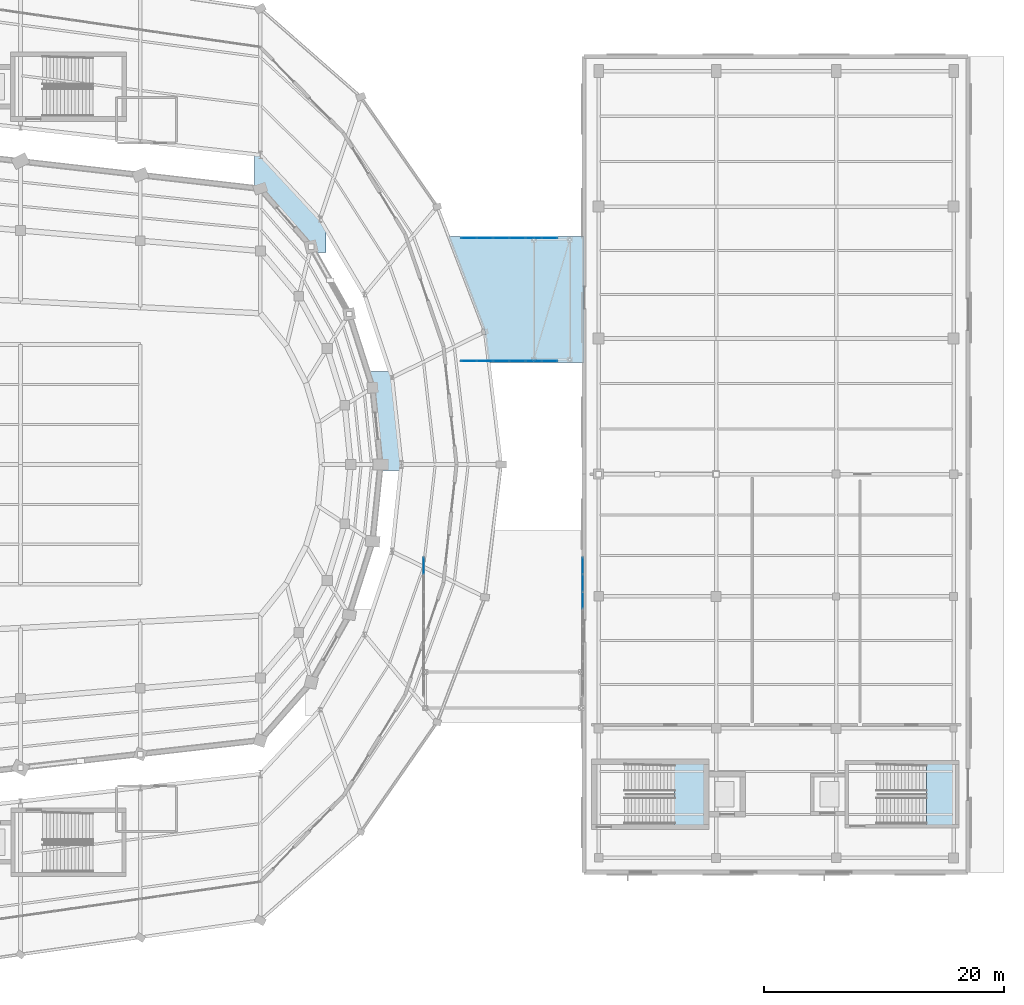
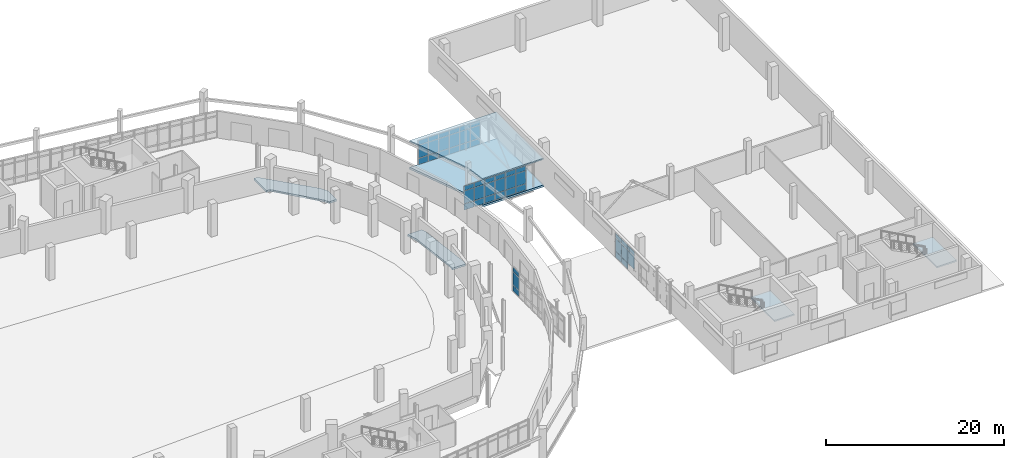
# One storey, part 92 of 122: 47 plates, 6 slabs, 6 elements without a shape of their own.
"""IFC4 building model written with IfcOpenShell, lengths in metres."""

import ifcopenshell
import ifcopenshell.guid

model = None  # the IFC model being written
_history = None  # IfcOwnerHistory: only IFC2X3 demands one
_inside = {}  # id of a spatial element -> (the spatial element, [elements in it])
_under = {}  # id of a project, library or spatial element -> (it, [spatial elements below it])
_declared = {}  # id of a project -> (the project, [libraries it declares])
_typed = {}  # id of a type object -> (the type object, [elements of that type])
_made_of = {}  # id of a material, layer set ... -> (it, [elements and type objects made of it])


def new_model(schema):
    """Start an empty IFC model of exactly this schema.

    Asked for "IFC4X3", IfcOpenShell would pick the latest addendum, in which some entities
    have other attributes; the version numbers below select the first issue.
    IFC2X3 requires an IfcOwnerHistory on every rooted entity: one is made here for all.
    """
    global model, _history
    if schema == "IFC4X3":
        model = ifcopenshell.file(schema_version=(4, 3, 0, 0))
    else:
        model = ifcopenshell.file(schema=schema)
    _inside.clear()
    _under.clear()
    _declared.clear()
    _typed.clear()
    _made_of.clear()
    _history = None
    if model.schema == "IFC2X3":
        org = make("IfcOrganization", Name="unknown")
        user = make(
            "IfcPersonAndOrganization",
            ThePerson=make("IfcPerson", FamilyName="unknown"),
            TheOrganization=org,
        )
        app = make(
            "IfcApplication",
            ApplicationDeveloper=org,
            Version="unknown",
            ApplicationFullName="unknown",
            ApplicationIdentifier="unknown",
        )
        _history = make(
            "IfcOwnerHistory",
            OwningUser=user,
            OwningApplication=app,
            ChangeAction="ADDED",
            CreationDate=0,
        )
    return model


def make(cls, **values):
    """One entity of the class cls with the attributes given. An attribute that is None is left unset."""
    return model.create_entity(
        cls, **{name: value for name, value in values.items() if value is not None}
    )


def rooted(cls, **values):
    """An entity with a GlobalId (a new one), such as an element, a storey or a relation."""
    return make(cls, GlobalId=ifcopenshell.guid.new(), OwnerHistory=_history, **values)


def si_unit(unit_type, name, prefix=None):
    """IfcSIUnit, for example si_unit("LENGTHUNIT", "METRE", prefix="MILLI")."""
    return make("IfcSIUnit", UnitType=unit_type, Prefix=prefix, Name=name)


def assignment(units):
    """IfcUnitAssignment: the units of a project."""
    return None if units is None else make("IfcUnitAssignment", Units=units)


def point(xyz):
    """IfcCartesianPoint."""
    return None if xyz is None else make("IfcCartesianPoint", Coordinates=xyz)


def direction(xyz):
    """IfcDirection."""
    return None if xyz is None else make("IfcDirection", DirectionRatios=xyz)


def frame(location, z_axis=None, x_axis=None):
    """IfcAxis2Placement3D, a coordinate frame: its origin and axes. An axis left out is left unset."""
    return make(
        "IfcAxis2Placement3D",
        Location=point(location),
        Axis=direction(z_axis),
        RefDirection=direction(x_axis),
    )


def frame_2d(location, x_axis=None):
    """IfcAxis2Placement2D, a coordinate frame in the plane: its origin and x axis."""
    return make(
        "IfcAxis2Placement2D", Location=point(location), RefDirection=direction(x_axis)
    )


def origin():
    """The frame at (0, 0, 0) with its axes left unset."""
    return frame((0.0, 0.0, 0.0))


def origin_2d():
    """The frame at (0, 0) in the plane with its x axis left unset."""
    return frame_2d((0.0, 0.0))


def place(relative_to, where):
    """IfcLocalPlacement: puts the frame where relative to a parent placement (None: the world)."""
    return make(
        "IfcLocalPlacement", PlacementRelTo=relative_to, RelativePlacement=where
    )


def context(
    kind, dimensions, precision=None, world=None, true_north=None, identifier=None
):
    """IfcGeometricRepresentationContext, for example the 3D "Model" context."""
    return make(
        "IfcGeometricRepresentationContext",
        ContextIdentifier=identifier,
        ContextType=kind,
        CoordinateSpaceDimension=dimensions,
        Precision=precision,
        WorldCoordinateSystem=world,
        TrueNorth=true_north,
    )


def subcontext(parent, identifier, kind, view, scale=None):
    """IfcGeometricRepresentationSubContext, for example "Body" below "Model"."""
    return make(
        "IfcGeometricRepresentationSubContext",
        ContextIdentifier=identifier,
        ContextType=kind,
        ParentContext=parent,
        TargetScale=scale,
        TargetView=view,
    )


def project(units=None, contexts=None):
    """IfcProject with its units and contexts."""
    return rooted(
        "IfcProject",
        Name="project",
        RepresentationContexts=contexts,
        UnitsInContext=assignment(units),
    )


def spatial(cls, under=None, at=None, **own):
    """A site, building, storey or space (cls), placed at a placement, below another one or the project."""
    s = rooted(cls, ObjectPlacement=at, **own)
    if under is not None:
        _under.setdefault(under.id(), (under, []))[1].append(s)
    return s


def polyline(points):
    """IfcPolyline through the points."""
    return make("IfcPolyline", Points=[point(p) for p in points])


def profile(cls, at=None, kind="AREA", **sizes):
    """A parametric profile (cls). Its sizes go by their IFC names, for example OverallWidth=200.0."""
    return make(cls, ProfileType=kind, Position=at, **sizes)


def rectangle(**sizes):
    """IfcRectangleProfileDef."""
    return profile("IfcRectangleProfileDef", **sizes)


def outline(outer, holes=None, kind="AREA"):
    """IfcArbitraryClosedProfileDef: a profile drawn as a closed curve; with holes, ...WithVoids."""
    if holes is None:
        return make("IfcArbitraryClosedProfileDef", ProfileType=kind, OuterCurve=outer)
    return make(
        "IfcArbitraryProfileDefWithVoids",
        ProfileType=kind,
        OuterCurve=outer,
        InnerCurves=holes,
    )


def extrude(swept, where, along, depth):
    """IfcExtrudedAreaSolid: the profile swept, set in the frame where, extruded along a direction by depth."""
    return make(
        "IfcExtrudedAreaSolid",
        SweptArea=swept,
        Position=where,
        ExtrudedDirection=direction(along),
        Depth=depth,
    )


def shape(context_of_items, identifier, shape_type, items):
    """IfcShapeRepresentation: the items that make up one representation, for example the "Body"."""
    return make(
        "IfcShapeRepresentation",
        ContextOfItems=context_of_items,
        RepresentationIdentifier=identifier,
        RepresentationType=shape_type,
        Items=items,
    )


def material(Name=None, Category=None):
    """IfcMaterial."""
    return make("IfcMaterial", Name=Name, Category=Category)


def layer(
    of_material, thickness, ventilated=None, Name=None, Category=None, Priority=None
):
    """IfcMaterialLayer: one layer of a wall or slab, of a material (None: an air gap)."""
    return make(
        "IfcMaterialLayer",
        Material=of_material,
        LayerThickness=thickness,
        IsVentilated=ventilated,
        Name=Name,
        Category=Category,
        Priority=Priority,
    )


def layer_set(layers, Name=None):
    """IfcMaterialLayerSet."""
    return make("IfcMaterialLayerSet", MaterialLayers=layers, LayerSetName=Name)


def made_of(thing, what):
    """Note that an element or type object is made of a material, layer set ...; save() writes the relation."""
    if what is not None:
        _made_of.setdefault(what.id(), (what, []))[1].append(thing)
    return thing


def type_object(cls, material=None, **own):
    """A type object (cls), such as IfcWallType, which elements share."""
    return made_of(rooted(cls, **own), material)


def element(
    cls,
    number,
    at=None,
    inside=None,
    cuts=None,
    type_object=None,
    material=None,
    context=None,
    identifier="Body",
    shape_type=None,
    held_by="IfcProductDefinitionShape",
    body=None,
    shapes=None,
    **own,
):
    """One element of the class cls, such as IfcWall. Its Tag is "e" and its number.

    at: its placement. inside: the storey or other place that contains it. cuts: it is an
    opening in that element (IfcRelVoidsElement). A single representation is given by context,
    identifier, shape_type and body (its items); several are given by shapes. held_by: the class
    of the entity that holds the representations. save() writes the other relations.
    """
    e = rooted(cls, Tag="e%d" % number, ObjectPlacement=at, **own)
    if body is not None:
        shapes = [shape(context, identifier, shape_type, body)]
    if shapes is not None:
        e.Representation = make(held_by, Representations=shapes)
    if inside is not None:
        _inside.setdefault(inside.id(), (inside, []))[1].append(e)
    if cuts is not None:
        rooted(
            "IfcRelVoidsElement", RelatingBuildingElement=cuts, RelatedOpeningElement=e
        )
    if type_object is not None:
        _typed.setdefault(type_object.id(), (type_object, []))[1].append(e)
    return made_of(e, material)


def aggregate(whole, parts):
    """IfcRelAggregates: a whole, such as a stair, and the parts it consists of."""
    return rooted("IfcRelAggregates", RelatingObject=whole, RelatedObjects=parts)


def save(model, path):
    """Write the relations noted so far, then the file.

    IfcRelAggregates (storeys below a building ...), IfcRelContainedInSpatialStructure (elements
    in a storey), IfcRelDefinesByType, IfcRelAssociatesMaterial and IfcRelDeclares: one each for
    every whole, place, type object, material and project.
    """
    for whole, parts in _under.values():
        aggregate(whole, parts)
    for where, things in _inside.values():
        rooted(
            "IfcRelContainedInSpatialStructure",
            RelatedElements=things,
            RelatingStructure=where,
        )
    for kind, things in _typed.values():
        rooted("IfcRelDefinesByType", RelatedObjects=things, RelatingType=kind)
    for what, things in _made_of.values():
        rooted("IfcRelAssociatesMaterial", RelatedObjects=things, RelatingMaterial=what)
    for by, libraries in _declared.values():
        rooted("IfcRelDeclares", RelatingContext=by, RelatedDefinitions=libraries)
    model.write(path)


model = new_model("IFC4")

# Units and contexts
model_context = context("Model", 3, precision=1e-05, world=origin(), true_north=direction((0.0, 1.0)))
body_context = subcontext(model_context, "Body", "Model", "MODEL_VIEW")
ifc_project = project(units=[si_unit("LENGTHUNIT", "METRE"), si_unit("AREAUNIT", "SQUARE_METRE"), si_unit("VOLUMEUNIT", "CUBIC_METRE"), si_unit("PLANEANGLEUNIT", "RADIAN"), si_unit("MASSUNIT", "GRAM", prefix="KILO")], contexts=[model_context])

# Site, building, storey
site_placement = place(None, origin())
site = spatial("IfcSite", under=ifc_project, at=site_placement, CompositionType="ELEMENT")
building_placement = place(site_placement, origin())
building = spatial("IfcBuilding", under=site, at=building_placement, Name="Sohan Crest Arena", CompositionType="ELEMENT")
storey_placement = place(building_placement, origin())
storey = spatial("IfcBuildingStorey", under=building, at=storey_placement, Name="L00", CompositionType="ELEMENT", Elevation=0.0)

# Curtain wall, plates
ifc_material_1 = material(Name="Thermally broken anodised aluminium", Category="aluminium")
ifc_layer_1 = layer(ifc_material_1, 0.18994140625, Name="Thermally broken anodised aluminium")
ifc_layer_set_1 = layer_set([ifc_layer_1], Name="Thermally broken anodised aluminium")
curtain_wall_type = type_object("IfcCurtainWallType", Name="ARC-CW05", PredefinedType="NOTDEFINED", material=ifc_layer_set_1)
curtain_wall_1_placement = place(storey_placement, origin())
curtain_wall_1 = element("IfcCurtainWall", 1, at=curtain_wall_1_placement, inside=storey, type_object=curtain_wall_type, Name="Unitised curtain wall CW-239", PredefinedType="NOTDEFINED")
ifc_material_2 = material(Name="Low-E double-glazed insulated glass", Category="glass")
ifc_layer_2 = layer(ifc_material_2, 0.028076171875, Name="Low-E double-glazed insulated glass")
ifc_layer_set_2 = layer_set([ifc_layer_2], Name="Low-E double-glazed insulated glass")
plate_type = type_object("IfcPlateType", Name="ARC-CNP01", PredefinedType="CURTAIN_PANEL", material=ifc_layer_set_2)
plate_1_placement = place(storey_placement, frame((181.6201171875, 69.558837890625, 0.06005859375), z_axis=(0.0, 0.0, 1.0), x_axis=(0.0, 1.0, 0.0)))
plate_1 = element("IfcPlate", 2, at=plate_1_placement, type_object=plate_type, Name="CW-239 panel 8.1", PredefinedType="CURTAIN_PANEL", context=body_context, shape_type="SweptSolid", body=[
    extrude(rectangle(XDim=1.3525390625, YDim=0.028076171875, at=origin_2d()), origin(), (0.0, 0.0, 1.0), 0.81005859375),
])
plate_2_placement = place(storey_placement, frame((181.6201171875, 69.558837890625, 0.93017578125), z_axis=(0.0, 0.0, 1.0), x_axis=(0.0, 1.0, 0.0)))
plate_2 = element("IfcPlate", 3, at=plate_2_placement, type_object=plate_type, Name="CW-239 panel 8.2", PredefinedType="CURTAIN_PANEL", context=body_context, shape_type="SweptSolid", body=[
    extrude(rectangle(XDim=1.3525390625, YDim=0.028076171875, at=origin_2d()), origin(), (0.0, 0.0, 1.0), 1.739990234375),
])
plate_3_placement = place(storey_placement, frame((181.6201171875, 69.558837890625, 2.72998046875), z_axis=(0.0, 0.0, 1.0), x_axis=(0.0, 1.0, 0.0)))
plate_3 = element("IfcPlate", 4, at=plate_3_placement, type_object=plate_type, Name="CW-239 panel 8.3", PredefinedType="CURTAIN_PANEL", context=body_context, shape_type="SweptSolid", body=[
    extrude(rectangle(XDim=1.3525390625, YDim=0.028076171875, at=origin_2d()), origin(), (0.0, 0.0, 1.0), 0.610107421875),
])
aggregate(curtain_wall_1, [plate_1, plate_2, plate_3])

curtain_wall_2_placement = place(storey_placement, origin())
curtain_wall_2 = element("IfcCurtainWall", 5, at=curtain_wall_2_placement, inside=storey, type_object=curtain_wall_type, Name="Unitised curtain wall CW-240", PredefinedType="NOTDEFINED")
plate_4_placement = place(storey_placement, frame((194.8798828125, 66.675048828125, 0.93017578125), z_axis=(0.0, 0.0, 1.0), x_axis=(0.0, 1.0, 0.0)))
plate_4 = element("IfcPlate", 6, at=plate_4_placement, type_object=plate_type, Name="CW-240 panel 6.2", PredefinedType="CURTAIN_PANEL", context=body_context, shape_type="SweptSolid", body=[
    extrude(rectangle(XDim=1.385009765625, YDim=0.028076171875, at=origin_2d()), origin(), (0.0, 0.0, 1.0), 1.739990234375),
])
plate_5_placement = place(storey_placement, frame((194.8798828125, 66.675048828125, 2.72998046875), z_axis=(0.0, 0.0, 1.0), x_axis=(0.0, 1.0, 0.0)))
plate_5 = element("IfcPlate", 7, at=plate_5_placement, type_object=plate_type, Name="CW-240 panel 6.3", PredefinedType="CURTAIN_PANEL", context=body_context, shape_type="SweptSolid", body=[
    extrude(rectangle(XDim=1.385009765625, YDim=0.028076171875, at=origin_2d()), origin(), (0.0, 0.0, 1.0), 0.610107421875),
])
plate_6_placement = place(storey_placement, frame((194.8798828125, 68.125, 0.06005859375), z_axis=(0.0, 0.0, 1.0), x_axis=(0.0, 1.0, 0.0)))
plate_6 = element("IfcPlate", 8, at=plate_6_placement, type_object=plate_type, Name="CW-240 panel 7.1", PredefinedType="CURTAIN_PANEL", context=body_context, shape_type="SweptSolid", body=[
    extrude(rectangle(XDim=1.385009765625, YDim=0.028076171875, at=origin_2d()), origin(), (0.0, 0.0, 1.0), 0.81005859375),
])
plate_7_placement = place(storey_placement, frame((194.8798828125, 68.125, 0.93017578125), z_axis=(0.0, 0.0, 1.0), x_axis=(0.0, 1.0, 0.0)))
plate_7 = element("IfcPlate", 9, at=plate_7_placement, type_object=plate_type, Name="CW-240 panel 7.2", PredefinedType="CURTAIN_PANEL", context=body_context, shape_type="SweptSolid", body=[
    extrude(rectangle(XDim=1.385009765625, YDim=0.028076171875, at=origin_2d()), origin(), (0.0, 0.0, 1.0), 1.739990234375),
])
plate_8_placement = place(storey_placement, frame((194.8798828125, 68.125, 2.72998046875), z_axis=(0.0, 0.0, 1.0), x_axis=(0.0, 1.0, 0.0)))
plate_8 = element("IfcPlate", 10, at=plate_8_placement, type_object=plate_type, Name="CW-240 panel 7.3", PredefinedType="CURTAIN_PANEL", context=body_context, shape_type="SweptSolid", body=[
    extrude(rectangle(XDim=1.385009765625, YDim=0.028076171875, at=origin_2d()), origin(), (0.0, 0.0, 1.0), 0.610107421875),
])
plate_9_placement = place(storey_placement, frame((194.8798828125, 69.558837890625, 0.06005859375), z_axis=(0.0, 0.0, 1.0), x_axis=(0.0, 1.0, 0.0)))
plate_9 = element("IfcPlate", 11, at=plate_9_placement, type_object=plate_type, Name="CW-240 panel 8.1", PredefinedType="CURTAIN_PANEL", context=body_context, shape_type="SweptSolid", body=[
    extrude(rectangle(XDim=1.3525390625, YDim=0.028076171875, at=origin_2d()), origin(), (0.0, 0.0, 1.0), 0.81005859375),
])
plate_10_placement = place(storey_placement, frame((194.8798828125, 69.558837890625, 0.93017578125), z_axis=(0.0, 0.0, 1.0), x_axis=(0.0, 1.0, 0.0)))
plate_10 = element("IfcPlate", 12, at=plate_10_placement, type_object=plate_type, Name="CW-240 panel 8.2", PredefinedType="CURTAIN_PANEL", context=body_context, shape_type="SweptSolid", body=[
    extrude(rectangle(XDim=1.3525390625, YDim=0.028076171875, at=origin_2d()), origin(), (0.0, 0.0, 1.0), 1.739990234375),
])
plate_11_placement = place(storey_placement, frame((194.8798828125, 69.558837890625, 2.72998046875), z_axis=(0.0, 0.0, 1.0), x_axis=(0.0, 1.0, 0.0)))
plate_11 = element("IfcPlate", 13, at=plate_11_placement, type_object=plate_type, Name="CW-240 panel 8.3", PredefinedType="CURTAIN_PANEL", context=body_context, shape_type="SweptSolid", body=[
    extrude(rectangle(XDim=1.3525390625, YDim=0.028076171875, at=origin_2d()), origin(), (0.0, 0.0, 1.0), 0.610107421875),
])
aggregate(curtain_wall_2, [plate_4, plate_5, plate_6, plate_7, plate_8, plate_9, plate_10, plate_11])

curtain_wall_3_placement = place(storey_placement, origin())
curtain_wall_3 = element("IfcCurtainWall", 14, at=curtain_wall_3_placement, inside=storey, type_object=curtain_wall_type, Name="Unitised curtain wall CW-245", PredefinedType="NOTDEFINED")
plate_12_placement = place(storey_placement, frame((185.391357421875, 86.6201171875, 0.06005859375), z_axis=(0.0, 0.0, 1.0), x_axis=(1.0, 0.0, 0.0)))
plate_12 = element("IfcPlate", 15, at=plate_12_placement, type_object=plate_type, Name="CW-245 panel 1.1", PredefinedType="CURTAIN_PANEL", context=body_context, shape_type="SweptSolid", body=[
    extrude(rectangle(XDim=1.25244140625, YDim=0.028076171875, at=origin_2d()), origin(), (0.0, 0.0, 1.0), 0.81005859375),
])
plate_13_placement = place(storey_placement, frame((185.391357421875, 86.6201171875, 0.93017578125), z_axis=(0.0, 0.0, 1.0), x_axis=(1.0, 0.0, 0.0)))
plate_13 = element("IfcPlate", 16, at=plate_13_placement, type_object=plate_type, Name="CW-245 panel 1.2", PredefinedType="CURTAIN_PANEL", context=body_context, shape_type="SweptSolid", body=[
    extrude(rectangle(XDim=1.25244140625, YDim=0.028076171875, at=origin_2d()), origin(), (0.0, 0.0, 1.0), 1.739990234375),
])
plate_14_placement = place(storey_placement, frame((185.391357421875, 86.6201171875, 2.72998046875), z_axis=(0.0, 0.0, 1.0), x_axis=(1.0, 0.0, 0.0)))
plate_14 = element("IfcPlate", 17, at=plate_14_placement, type_object=plate_type, Name="CW-245 panel 1.3", PredefinedType="CURTAIN_PANEL", context=body_context, shape_type="SweptSolid", body=[
    extrude(rectangle(XDim=1.25244140625, YDim=0.028076171875, at=origin_2d()), origin(), (0.0, 0.0, 1.0), 0.610107421875),
])
plate_15_placement = place(storey_placement, frame((186.72509765625, 86.6201171875, 0.06005859375), z_axis=(0.0, 0.0, 1.0), x_axis=(1.0, 0.0, 0.0)))
plate_15 = element("IfcPlate", 18, at=plate_15_placement, type_object=plate_type, Name="CW-245 panel 2.1", PredefinedType="CURTAIN_PANEL", context=body_context, shape_type="SweptSolid", body=[
    extrude(rectangle(XDim=1.284912109375, YDim=0.028076171875, at=origin_2d()), origin(), (0.0, 0.0, 1.0), 0.81005859375),
])
plate_16_placement = place(storey_placement, frame((186.72509765625, 86.6201171875, 0.93017578125), z_axis=(0.0, 0.0, 1.0), x_axis=(1.0, 0.0, 0.0)))
plate_16 = element("IfcPlate", 19, at=plate_16_placement, type_object=plate_type, Name="CW-245 panel 2.2", PredefinedType="CURTAIN_PANEL", context=body_context, shape_type="SweptSolid", body=[
    extrude(rectangle(XDim=1.284912109375, YDim=0.028076171875, at=origin_2d()), origin(), (0.0, 0.0, 1.0), 1.739990234375),
])
plate_17_placement = place(storey_placement, frame((186.72509765625, 86.6201171875, 2.72998046875), z_axis=(0.0, 0.0, 1.0), x_axis=(1.0, 0.0, 0.0)))
plate_17 = element("IfcPlate", 20, at=plate_17_placement, type_object=plate_type, Name="CW-245 panel 2.3", PredefinedType="CURTAIN_PANEL", context=body_context, shape_type="SweptSolid", body=[
    extrude(rectangle(XDim=1.284912109375, YDim=0.028076171875, at=origin_2d()), origin(), (0.0, 0.0, 1.0), 0.610107421875),
])
plate_18_placement = place(storey_placement, frame((188.074951171875, 86.6201171875, 0.06005859375), z_axis=(0.0, 0.0, 1.0), x_axis=(1.0, 0.0, 0.0)))
plate_18 = element("IfcPlate", 21, at=plate_18_placement, type_object=plate_type, Name="CW-245 panel 3.1", PredefinedType="CURTAIN_PANEL", context=body_context, shape_type="SweptSolid", body=[
    extrude(rectangle(XDim=1.284912109375, YDim=0.028076171875, at=origin_2d()), origin(), (0.0, 0.0, 1.0), 0.81005859375),
])
plate_19_placement = place(storey_placement, frame((188.074951171875, 86.6201171875, 0.93017578125), z_axis=(0.0, 0.0, 1.0), x_axis=(1.0, 0.0, 0.0)))
plate_19 = element("IfcPlate", 22, at=plate_19_placement, type_object=plate_type, Name="CW-245 panel 3.2", PredefinedType="CURTAIN_PANEL", context=body_context, shape_type="SweptSolid", body=[
    extrude(rectangle(XDim=1.284912109375, YDim=0.028076171875, at=origin_2d()), origin(), (0.0, 0.0, 1.0), 1.739990234375),
])
plate_20_placement = place(storey_placement, frame((188.074951171875, 86.6201171875, 2.72998046875), z_axis=(0.0, 0.0, 1.0), x_axis=(1.0, 0.0, 0.0)))
plate_20 = element("IfcPlate", 23, at=plate_20_placement, type_object=plate_type, Name="CW-245 panel 3.3", PredefinedType="CURTAIN_PANEL", context=body_context, shape_type="SweptSolid", body=[
    extrude(rectangle(XDim=1.284912109375, YDim=0.028076171875, at=origin_2d()), origin(), (0.0, 0.0, 1.0), 0.610107421875),
])
plate_21_placement = place(storey_placement, frame((189.425048828125, 86.6201171875, 0.06005859375), z_axis=(0.0, 0.0, 1.0), x_axis=(1.0, 0.0, 0.0)))
plate_21 = element("IfcPlate", 24, at=plate_21_placement, type_object=plate_type, Name="CW-245 panel 4.1", PredefinedType="CURTAIN_PANEL", context=body_context, shape_type="SweptSolid", body=[
    extrude(rectangle(XDim=1.284912109375, YDim=0.028076171875, at=origin_2d()), origin(), (0.0, 0.0, 1.0), 0.81005859375),
])
plate_22_placement = place(storey_placement, frame((189.425048828125, 86.6201171875, 0.93017578125), z_axis=(0.0, 0.0, 1.0), x_axis=(1.0, 0.0, 0.0)))
plate_22 = element("IfcPlate", 25, at=plate_22_placement, type_object=plate_type, Name="CW-245 panel 4.2", PredefinedType="CURTAIN_PANEL", context=body_context, shape_type="SweptSolid", body=[
    extrude(rectangle(XDim=1.284912109375, YDim=0.028076171875, at=origin_2d()), origin(), (0.0, 0.0, 1.0), 1.739990234375),
])
plate_23_placement = place(storey_placement, frame((189.425048828125, 86.6201171875, 2.72998046875), z_axis=(0.0, 0.0, 1.0), x_axis=(1.0, 0.0, 0.0)))
plate_23 = element("IfcPlate", 26, at=plate_23_placement, type_object=plate_type, Name="CW-245 panel 4.3", PredefinedType="CURTAIN_PANEL", context=body_context, shape_type="SweptSolid", body=[
    extrude(rectangle(XDim=1.284912109375, YDim=0.028076171875, at=origin_2d()), origin(), (0.0, 0.0, 1.0), 0.610107421875),
])
plate_24_placement = place(storey_placement, frame((190.77490234375, 86.6201171875, 0.06005859375), z_axis=(0.0, 0.0, 1.0), x_axis=(1.0, 0.0, 0.0)))
plate_24 = element("IfcPlate", 27, at=plate_24_placement, type_object=plate_type, Name="CW-245 panel 5.1", PredefinedType="CURTAIN_PANEL", context=body_context, shape_type="SweptSolid", body=[
    extrude(rectangle(XDim=1.284912109375, YDim=0.028076171875, at=origin_2d()), origin(), (0.0, 0.0, 1.0), 0.81005859375),
])
plate_25_placement = place(storey_placement, frame((190.77490234375, 86.6201171875, 0.93017578125), z_axis=(0.0, 0.0, 1.0), x_axis=(1.0, 0.0, 0.0)))
plate_25 = element("IfcPlate", 28, at=plate_25_placement, type_object=plate_type, Name="CW-245 panel 5.2", PredefinedType="CURTAIN_PANEL", context=body_context, shape_type="SweptSolid", body=[
    extrude(rectangle(XDim=1.284912109375, YDim=0.028076171875, at=origin_2d()), origin(), (0.0, 0.0, 1.0), 1.739990234375),
])
plate_26_placement = place(storey_placement, frame((190.77490234375, 86.6201171875, 2.72998046875), z_axis=(0.0, 0.0, 1.0), x_axis=(1.0, 0.0, 0.0)))
plate_26 = element("IfcPlate", 29, at=plate_26_placement, type_object=plate_type, Name="CW-245 panel 5.3", PredefinedType="CURTAIN_PANEL", context=body_context, shape_type="SweptSolid", body=[
    extrude(rectangle(XDim=1.284912109375, YDim=0.028076171875, at=origin_2d()), origin(), (0.0, 0.0, 1.0), 0.610107421875),
])
plate_27_placement = place(storey_placement, frame((192.108642578125, 86.6201171875, 0.06005859375), z_axis=(0.0, 0.0, 1.0), x_axis=(1.0, 0.0, 0.0)))
plate_27 = element("IfcPlate", 30, at=plate_27_placement, type_object=plate_type, Name="CW-245 panel 6.1", PredefinedType="CURTAIN_PANEL", context=body_context, shape_type="SweptSolid", body=[
    extrude(rectangle(XDim=1.25244140625, YDim=0.028076171875, at=origin_2d()), origin(), (0.0, 0.0, 1.0), 0.81005859375),
])
plate_28_placement = place(storey_placement, frame((192.108642578125, 86.6201171875, 0.93017578125), z_axis=(0.0, 0.0, 1.0), x_axis=(1.0, 0.0, 0.0)))
plate_28 = element("IfcPlate", 31, at=plate_28_placement, type_object=plate_type, Name="CW-245 panel 6.2", PredefinedType="CURTAIN_PANEL", context=body_context, shape_type="SweptSolid", body=[
    extrude(rectangle(XDim=1.25244140625, YDim=0.028076171875, at=origin_2d()), origin(), (0.0, 0.0, 1.0), 1.739990234375),
])
plate_29_placement = place(storey_placement, frame((192.108642578125, 86.6201171875, 2.72998046875), z_axis=(0.0, 0.0, 1.0), x_axis=(1.0, 0.0, 0.0)))
plate_29 = element("IfcPlate", 32, at=plate_29_placement, type_object=plate_type, Name="CW-245 panel 6.3", PredefinedType="CURTAIN_PANEL", context=body_context, shape_type="SweptSolid", body=[
    extrude(rectangle(XDim=1.25244140625, YDim=0.028076171875, at=origin_2d()), origin(), (0.0, 0.0, 1.0), 0.610107421875),
])
aggregate(curtain_wall_3, [plate_12, plate_13, plate_14, plate_15, plate_16, plate_17, plate_18, plate_19, plate_20, plate_21, plate_22, plate_23, plate_24, plate_25, plate_26, plate_27, plate_28, plate_29])

curtain_wall_4_placement = place(storey_placement, origin())
curtain_wall_4 = element("IfcCurtainWall", 33, at=curtain_wall_4_placement, inside=storey, type_object=curtain_wall_type, Name="Unitised curtain wall CW-246", PredefinedType="NOTDEFINED")
plate_30_placement = place(storey_placement, frame((185.391357421875, 96.8798828125, 0.06005859375), z_axis=(0.0, 0.0, 1.0), x_axis=(1.0, 0.0, 0.0)))
plate_30 = element("IfcPlate", 34, at=plate_30_placement, type_object=plate_type, Name="CW-246 panel 1.1", PredefinedType="CURTAIN_PANEL", context=body_context, shape_type="SweptSolid", body=[
    extrude(rectangle(XDim=1.25244140625, YDim=0.028076171875, at=origin_2d()), origin(), (0.0, 0.0, 1.0), 0.81005859375),
])
plate_31_placement = place(storey_placement, frame((185.391357421875, 96.8798828125, 0.93017578125), z_axis=(0.0, 0.0, 1.0), x_axis=(1.0, 0.0, 0.0)))
plate_31 = element("IfcPlate", 35, at=plate_31_placement, type_object=plate_type, Name="CW-246 panel 1.2", PredefinedType="CURTAIN_PANEL", context=body_context, shape_type="SweptSolid", body=[
    extrude(rectangle(XDim=1.25244140625, YDim=0.028076171875, at=origin_2d()), origin(), (0.0, 0.0, 1.0), 1.739990234375),
])
plate_32_placement = place(storey_placement, frame((185.391357421875, 96.8798828125, 2.72998046875), z_axis=(0.0, 0.0, 1.0), x_axis=(1.0, 0.0, 0.0)))
plate_32 = element("IfcPlate", 36, at=plate_32_placement, type_object=plate_type, Name="CW-246 panel 1.3", PredefinedType="CURTAIN_PANEL", context=body_context, shape_type="SweptSolid", body=[
    extrude(rectangle(XDim=1.25244140625, YDim=0.028076171875, at=origin_2d()), origin(), (0.0, 0.0, 1.0), 0.610107421875),
])
plate_33_placement = place(storey_placement, frame((186.72509765625, 96.8798828125, 0.06005859375), z_axis=(0.0, 0.0, 1.0), x_axis=(1.0, 0.0, 0.0)))
plate_33 = element("IfcPlate", 37, at=plate_33_placement, type_object=plate_type, Name="CW-246 panel 2.1", PredefinedType="CURTAIN_PANEL", context=body_context, shape_type="SweptSolid", body=[
    extrude(rectangle(XDim=1.284912109375, YDim=0.028076171875, at=origin_2d()), origin(), (0.0, 0.0, 1.0), 0.81005859375),
])
plate_34_placement = place(storey_placement, frame((186.72509765625, 96.8798828125, 0.93017578125), z_axis=(0.0, 0.0, 1.0), x_axis=(1.0, 0.0, 0.0)))
plate_34 = element("IfcPlate", 38, at=plate_34_placement, type_object=plate_type, Name="CW-246 panel 2.2", PredefinedType="CURTAIN_PANEL", context=body_context, shape_type="SweptSolid", body=[
    extrude(rectangle(XDim=1.284912109375, YDim=0.028076171875, at=origin_2d()), origin(), (0.0, 0.0, 1.0), 1.739990234375),
])
plate_35_placement = place(storey_placement, frame((186.72509765625, 96.8798828125, 2.72998046875), z_axis=(0.0, 0.0, 1.0), x_axis=(1.0, 0.0, 0.0)))
plate_35 = element("IfcPlate", 39, at=plate_35_placement, type_object=plate_type, Name="CW-246 panel 2.3", PredefinedType="CURTAIN_PANEL", context=body_context, shape_type="SweptSolid", body=[
    extrude(rectangle(XDim=1.284912109375, YDim=0.028076171875, at=origin_2d()), origin(), (0.0, 0.0, 1.0), 0.610107421875),
])
plate_36_placement = place(storey_placement, frame((188.074951171875, 96.8798828125, 0.06005859375), z_axis=(0.0, 0.0, 1.0), x_axis=(1.0, 0.0, 0.0)))
plate_36 = element("IfcPlate", 40, at=plate_36_placement, type_object=plate_type, Name="CW-246 panel 3.1", PredefinedType="CURTAIN_PANEL", context=body_context, shape_type="SweptSolid", body=[
    extrude(rectangle(XDim=1.284912109375, YDim=0.028076171875, at=origin_2d()), origin(), (0.0, 0.0, 1.0), 0.81005859375),
])
plate_37_placement = place(storey_placement, frame((188.074951171875, 96.8798828125, 0.93017578125), z_axis=(0.0, 0.0, 1.0), x_axis=(1.0, 0.0, 0.0)))
plate_37 = element("IfcPlate", 41, at=plate_37_placement, type_object=plate_type, Name="CW-246 panel 3.2", PredefinedType="CURTAIN_PANEL", context=body_context, shape_type="SweptSolid", body=[
    extrude(rectangle(XDim=1.284912109375, YDim=0.028076171875, at=origin_2d()), origin(), (0.0, 0.0, 1.0), 1.739990234375),
])
plate_38_placement = place(storey_placement, frame((188.074951171875, 96.8798828125, 2.72998046875), z_axis=(0.0, 0.0, 1.0), x_axis=(1.0, 0.0, 0.0)))
plate_38 = element("IfcPlate", 42, at=plate_38_placement, type_object=plate_type, Name="CW-246 panel 3.3", PredefinedType="CURTAIN_PANEL", context=body_context, shape_type="SweptSolid", body=[
    extrude(rectangle(XDim=1.284912109375, YDim=0.028076171875, at=origin_2d()), origin(), (0.0, 0.0, 1.0), 0.610107421875),
])
plate_39_placement = place(storey_placement, frame((189.425048828125, 96.8798828125, 0.06005859375), z_axis=(0.0, 0.0, 1.0), x_axis=(1.0, 0.0, 0.0)))
plate_39 = element("IfcPlate", 43, at=plate_39_placement, type_object=plate_type, Name="CW-246 panel 4.1", PredefinedType="CURTAIN_PANEL", context=body_context, shape_type="SweptSolid", body=[
    extrude(rectangle(XDim=1.284912109375, YDim=0.028076171875, at=origin_2d()), origin(), (0.0, 0.0, 1.0), 0.81005859375),
])
plate_40_placement = place(storey_placement, frame((189.425048828125, 96.8798828125, 0.93017578125), z_axis=(0.0, 0.0, 1.0), x_axis=(1.0, 0.0, 0.0)))
plate_40 = element("IfcPlate", 44, at=plate_40_placement, type_object=plate_type, Name="CW-246 panel 4.2", PredefinedType="CURTAIN_PANEL", context=body_context, shape_type="SweptSolid", body=[
    extrude(rectangle(XDim=1.284912109375, YDim=0.028076171875, at=origin_2d()), origin(), (0.0, 0.0, 1.0), 1.739990234375),
])
plate_41_placement = place(storey_placement, frame((189.425048828125, 96.8798828125, 2.72998046875), z_axis=(0.0, 0.0, 1.0), x_axis=(1.0, 0.0, 0.0)))
plate_41 = element("IfcPlate", 45, at=plate_41_placement, type_object=plate_type, Name="CW-246 panel 4.3", PredefinedType="CURTAIN_PANEL", context=body_context, shape_type="SweptSolid", body=[
    extrude(rectangle(XDim=1.284912109375, YDim=0.028076171875, at=origin_2d()), origin(), (0.0, 0.0, 1.0), 0.610107421875),
])
plate_42_placement = place(storey_placement, frame((190.77490234375, 96.8798828125, 0.06005859375), z_axis=(0.0, 0.0, 1.0), x_axis=(1.0, 0.0, 0.0)))
plate_42 = element("IfcPlate", 46, at=plate_42_placement, type_object=plate_type, Name="CW-246 panel 5.1", PredefinedType="CURTAIN_PANEL", context=body_context, shape_type="SweptSolid", body=[
    extrude(rectangle(XDim=1.284912109375, YDim=0.028076171875, at=origin_2d()), origin(), (0.0, 0.0, 1.0), 0.81005859375),
])
plate_43_placement = place(storey_placement, frame((190.77490234375, 96.8798828125, 0.93017578125), z_axis=(0.0, 0.0, 1.0), x_axis=(1.0, 0.0, 0.0)))
plate_43 = element("IfcPlate", 47, at=plate_43_placement, type_object=plate_type, Name="CW-246 panel 5.2", PredefinedType="CURTAIN_PANEL", context=body_context, shape_type="SweptSolid", body=[
    extrude(rectangle(XDim=1.284912109375, YDim=0.028076171875, at=origin_2d()), origin(), (0.0, 0.0, 1.0), 1.739990234375),
])
plate_44_placement = place(storey_placement, frame((190.77490234375, 96.8798828125, 2.72998046875), z_axis=(0.0, 0.0, 1.0), x_axis=(1.0, 0.0, 0.0)))
plate_44 = element("IfcPlate", 48, at=plate_44_placement, type_object=plate_type, Name="CW-246 panel 5.3", PredefinedType="CURTAIN_PANEL", context=body_context, shape_type="SweptSolid", body=[
    extrude(rectangle(XDim=1.284912109375, YDim=0.028076171875, at=origin_2d()), origin(), (0.0, 0.0, 1.0), 0.610107421875),
])
plate_45_placement = place(storey_placement, frame((192.108642578125, 96.8798828125, 0.06005859375), z_axis=(0.0, 0.0, 1.0), x_axis=(1.0, 0.0, 0.0)))
plate_45 = element("IfcPlate", 49, at=plate_45_placement, type_object=plate_type, Name="CW-246 panel 6.1", PredefinedType="CURTAIN_PANEL", context=body_context, shape_type="SweptSolid", body=[
    extrude(rectangle(XDim=1.25244140625, YDim=0.028076171875, at=origin_2d()), origin(), (0.0, 0.0, 1.0), 0.81005859375),
])
plate_46_placement = place(storey_placement, frame((192.108642578125, 96.8798828125, 0.93017578125), z_axis=(0.0, 0.0, 1.0), x_axis=(1.0, 0.0, 0.0)))
plate_46 = element("IfcPlate", 50, at=plate_46_placement, type_object=plate_type, Name="CW-246 panel 6.2", PredefinedType="CURTAIN_PANEL", context=body_context, shape_type="SweptSolid", body=[
    extrude(rectangle(XDim=1.25244140625, YDim=0.028076171875, at=origin_2d()), origin(), (0.0, 0.0, 1.0), 1.739990234375),
])
plate_47_placement = place(storey_placement, frame((192.108642578125, 96.8798828125, 2.72998046875), z_axis=(0.0, 0.0, 1.0), x_axis=(1.0, 0.0, 0.0)))
plate_47 = element("IfcPlate", 51, at=plate_47_placement, type_object=plate_type, Name="CW-246 panel 6.3", PredefinedType="CURTAIN_PANEL", context=body_context, shape_type="SweptSolid", body=[
    extrude(rectangle(XDim=1.25244140625, YDim=0.028076171875, at=origin_2d()), origin(), (0.0, 0.0, 1.0), 0.610107421875),
])
aggregate(curtain_wall_4, [plate_30, plate_31, plate_32, plate_33, plate_34, plate_35, plate_36, plate_37, plate_38, plate_39, plate_40, plate_41, plate_42, plate_43, plate_44, plate_45, plate_46, plate_47])

# Slabs
ifc_material_3 = material(Name="Concrete C40/50", Category="concrete")
ifc_layer_3 = layer(ifc_material_3, 0.25, Name="Concrete C40/50")
ifc_layer_set_3 = layer_set([ifc_layer_3], Name="Concrete C40/50")
slab_type_1 = type_object("IfcSlabType", Name="SL-FLR3", PredefinedType="FLOOR", material=ifc_layer_set_3)
slab_1_placement = place(storey_placement, frame((0.0, 0.0, -0.25)))
element("IfcSlab", 52, at=slab_1_placement, inside=storey, type_object=slab_type_1, Name="Seismic joint threshold slab L00 SL-TH-L00-23", PredefinedType="FLOOR", context=body_context, shape_type="SweptSolid", body=[
    extrude(outline(polyline([(178.971923828125, 85.251953125), (179.75, 78.0), (179.696044921875, 77.5), (177.970947265625, 77.5), (178.02294921875, 78.0), (177.363037109375, 84.406982421875), (176.93505859375, 85.751953125), (178.805908203125, 85.751953125), (178.971923828125, 85.251953125)])), origin(), (0.0, 0.0, 1.0), 0.25),
])
slab_2_placement = place(storey_placement, frame((0.0, 0.0, -0.25)))
element("IfcSlab", 53, at=slab_2_placement, inside=storey, type_object=slab_type_1, Name="Seismic joint threshold slab L00 SL-TH-L00-26", PredefinedType="FLOOR", context=body_context, shape_type="SweptSolid", body=[
    extrude(outline(polyline([(168.0, 103.800048828125), (172.9609375, 98.452880859375), (173.4609375, 97.60791015625), (173.4609375, 95.654052734375), (172.52490234375, 95.654052734375), (172.242919921875, 96.154052734375), (168.0, 101.0), (167.5, 101.056884765625), (167.5, 103.85693359375), (168.0, 103.800048828125)])), origin(), (0.0, 0.0, 1.0), 0.25),
])
ifc_layer_4 = layer(ifc_material_3, 0.27490234375, Name="Concrete C40/50")
ifc_layer_set_4 = layer_set([ifc_layer_4], Name="Concrete C40/50")
slab_type_2 = type_object("IfcSlabType", Name="SL-FLR4", PredefinedType="FLOOR", material=ifc_layer_set_4)
slab_3_placement = place(storey_placement, frame((0.0, 0.0, -0.27490234375)))
element("IfcSlab", 54, at=slab_3_placement, inside=storey, type_object=slab_type_2, Name="Covered bridge BR-E2 L00 deck SL-BR-E2-L00", PredefinedType="FLOOR", context=body_context, shape_type="SweptSolid", body=[
    extrude(outline(polyline([(195.0, 86.5), (187.0390625, 86.5), (186.72509765625, 89.070068359375), (183.698974609375, 97.0), (195.0, 97.0), (195.0, 86.5)])), origin(), (0.0, 0.0, 1.0), 0.27490234375),
])

# Stair, slab
stair_type = type_object("IfcStairType", Name="ST-450W", PredefinedType="TWO_STRAIGHT_RUN_STAIR", material=ifc_material_3)
stair_1_placement = place(storey_placement, origin())
stair_1 = element("IfcStair", 55, at=stair_1_placement, inside=storey, type_object=stair_type, Name="Protected exit stair ST15-L00", PredefinedType="TWO_STRAIGHT_RUN_STAIR")
ifc_layer_5 = layer(ifc_material_3, 0.199951171875, Name="Concrete C40/50")
ifc_layer_set_5 = layer_set([ifc_layer_5], Name="Concrete C40/50")
slab_type_3 = type_object("IfcSlabType", Name="SL-LND1", PredefinedType="LANDING", material=ifc_layer_set_5)
slab_4_placement = place(storey_placement, frame((0.0, 0.0, 2.050048828125)))
slab_4 = element("IfcSlab", 56, at=slab_4_placement, type_object=slab_type_3, Name="ST15-L00 landing 1", PredefinedType="LANDING", context=body_context, shape_type="SweptSolid", body=[
    extrude(outline(polyline([(202.530029296875, 47.85009765625), (205.10009765625, 47.85009765625), (205.10009765625, 53.14990234375), (202.530029296875, 53.14990234375), (202.530029296875, 47.85009765625)])), origin(), (0.0, 0.0, 1.0), 0.199951171875),
])
aggregate(stair_1, [slab_4])

stair_2_placement = place(storey_placement, origin())
stair_2 = element("IfcStair", 57, at=stair_2_placement, inside=storey, type_object=stair_type, Name="Protected exit stair ST16-L00", PredefinedType="TWO_STRAIGHT_RUN_STAIR")
slab_5_placement = place(storey_placement, frame((0.0, 0.0, 2.050048828125)))
slab_5 = element("IfcSlab", 58, at=slab_5_placement, type_object=slab_type_3, Name="ST16-L00 landing 1", PredefinedType="LANDING", context=body_context, shape_type="SweptSolid", body=[
    extrude(outline(polyline([(223.530029296875, 47.85009765625), (226.10009765625, 47.85009765625), (226.10009765625, 53.14990234375), (223.530029296875, 53.14990234375), (223.530029296875, 47.85009765625)])), origin(), (0.0, 0.0, 1.0), 0.199951171875),
])
aggregate(stair_2, [slab_5])

# Slab
ifc_layer_6 = layer(ifc_material_3, 0.175048828125, Name="Concrete C40/50")
ifc_layer_set_6 = layer_set([ifc_layer_6], Name="Concrete C40/50")
slab_type_4 = type_object("IfcSlabType", Name="SL-RF01", PredefinedType="ROOF", material=ifc_layer_set_6)
slab_6_placement = place(storey_placement, frame((0.0, 0.0, 3.47509765625)))
element("IfcSlab", 59, at=slab_6_placement, inside=storey, type_object=slab_type_4, Name="Covered bridge BR-E2 roof RF-BR-E2", PredefinedType="ROOF", context=body_context, shape_type="SweptSolid", body=[
    extrude(outline(polyline([(195.0, 86.5), (187.0390625, 86.5), (186.72509765625, 89.070068359375), (183.698974609375, 97.0), (195.0, 97.0), (195.0, 86.5)])), origin(), (0.0, 0.0, 1.0), 0.1748046875),
])

save(model, "model.ifc")
